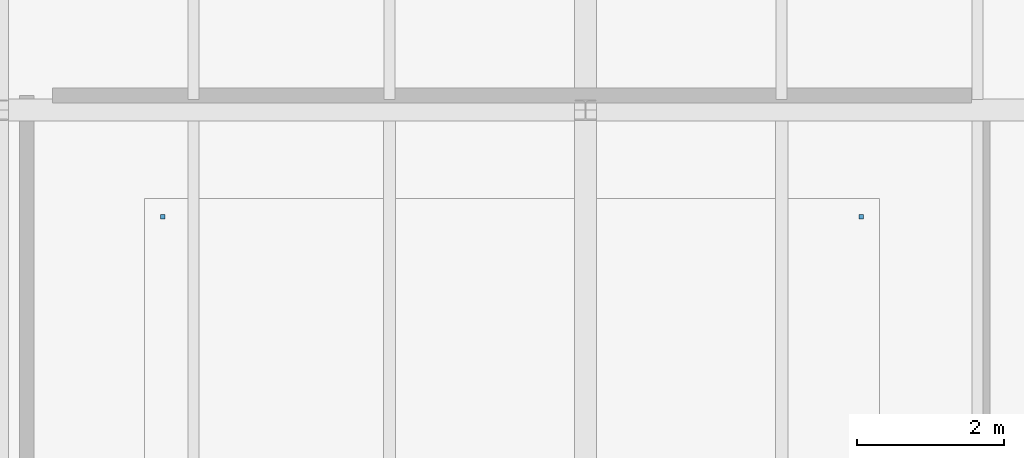
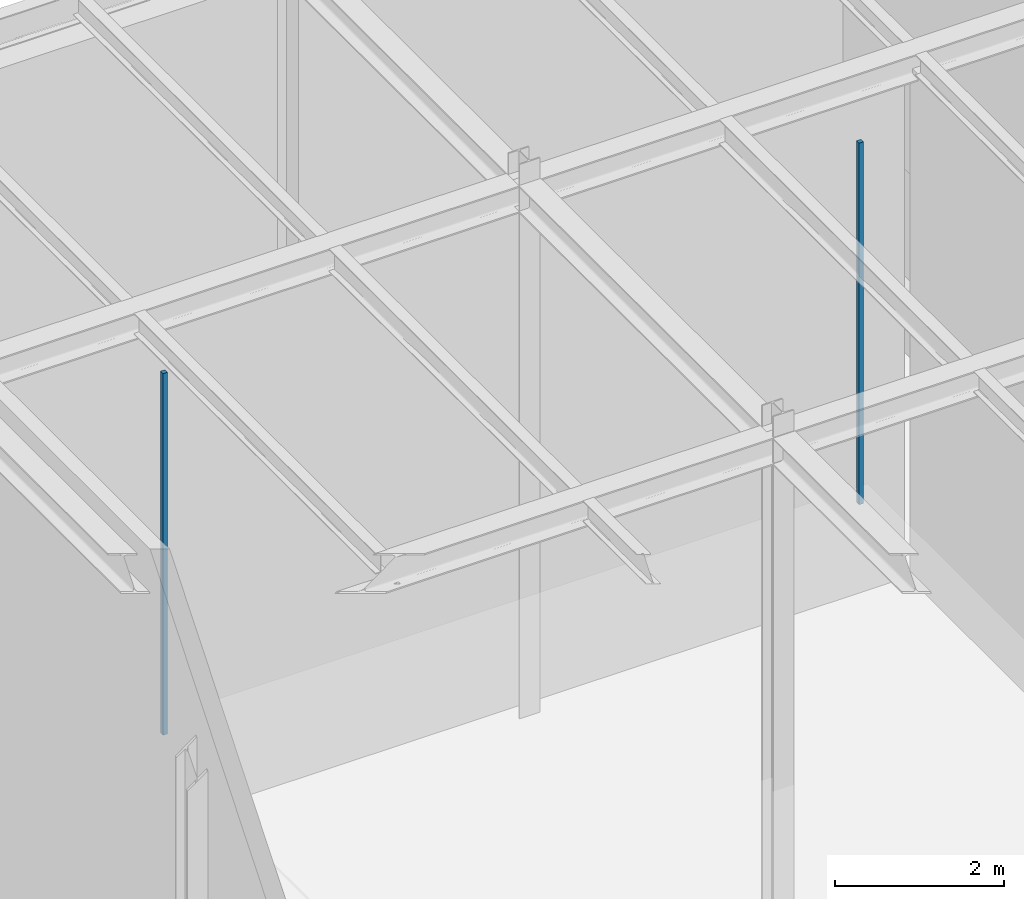
# One storey, part 116 of 138: 2 discrete accessories.
"""IFC4 building model written with IfcOpenShell, lengths in metres."""

from ifc_helpers import new_model, si_unit, direction, frame, origin, origin_2d, place, context, subcontext, project, spatial, rectangle, extrude, material, type_object, element, save


model = new_model("IFC4")

# Units and contexts
model_context = context("Model", 3, precision=1e-05, world=origin(), true_north=direction((0.0, 1.0)))
body_context = subcontext(model_context, "Body", "Model", "MODEL_VIEW")
ifc_project = project(units=[si_unit("LENGTHUNIT", "METRE"), si_unit("AREAUNIT", "SQUARE_METRE"), si_unit("VOLUMEUNIT", "CUBIC_METRE"), si_unit("PLANEANGLEUNIT", "RADIAN"), si_unit("MASSUNIT", "GRAM", prefix="KILO")], contexts=[model_context])

# Site, building, storey
site_placement = place(None, origin())
site = spatial("IfcSite", under=ifc_project, at=site_placement, CompositionType="ELEMENT")
building_placement = place(site_placement, origin())
building = spatial("IfcBuilding", under=site, at=building_placement, Name="Sundkrona Museum", CompositionType="ELEMENT")
storey_placement = place(building_placement, frame((0.0, 0.0, 9.60009765625)))
storey = spatial("IfcBuildingStorey", under=building, at=storey_placement, Name="L02", CompositionType="ELEMENT", Elevation=9.60009765625)

# Discrete accessories
ifc_material = material(Name="Stainless Steel EN 1.4404 Cleat", Category="steel")
discrete_accessory_type = type_object("IfcDiscreteAccessoryType", Name="BRK-FIN-01", PredefinedType="BRACKET", material=ifc_material)
for number, where, z_axis, x_axis, name in (
    (1, (163.75, 106.550048828125, 2.5498046875), (0.0, 0.0, 1.0), (1.0, 0.0, 0.0), "L02 Painting Restoration Studio Ceiling Hanger 3"),
    (2, (154.25, 106.550048828125, 2.5498046875), (0.0, 0.0, 1.0), (1.0, 0.0, 0.0), "L02 Painting Restoration Studio Ceiling Hanger 4"),
):
    element("IfcDiscreteAccessory", number, at=place(storey_placement, frame(where, z_axis=z_axis, x_axis=x_axis)), inside=storey, type_object=discrete_accessory_type, Name=name, PredefinedType="BRACKET", context=body_context, shape_type="SweptSolid", body=[
        extrude(rectangle(XDim=0.06005859375, YDim=0.06005859375, at=origin_2d()), origin(), (0.0, 0.0, 1.0), 5.219970703125),
    ])

save(model, "model.ifc")
